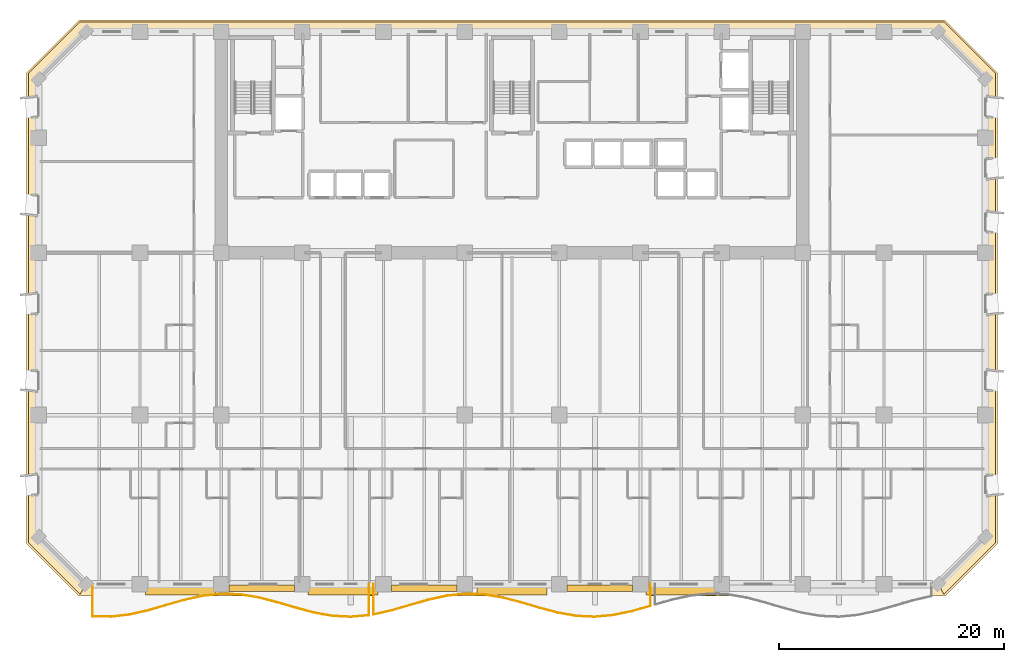
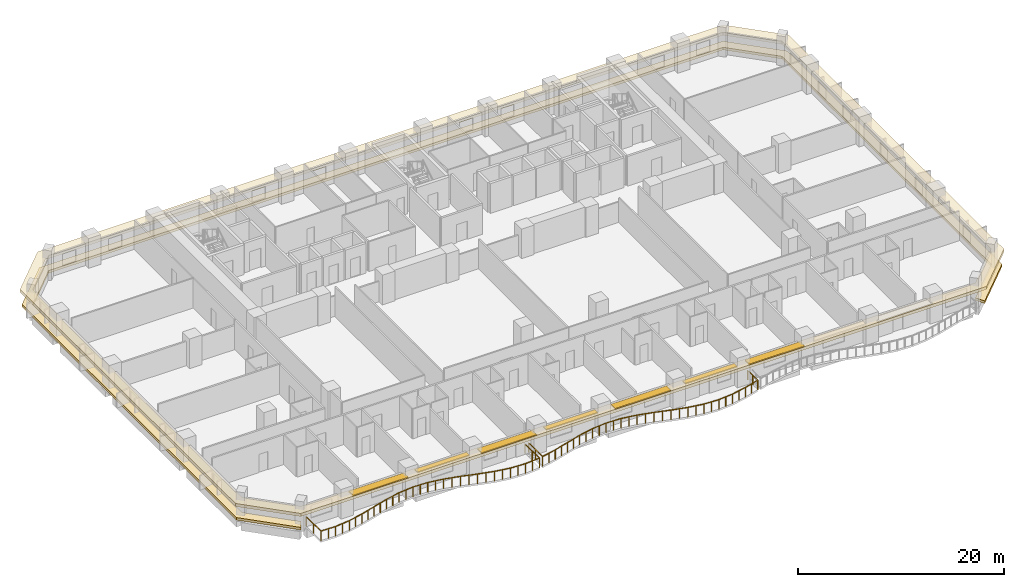
# One storey, part 12 of 15: 7 shading devices, 2 coverings, 2 railings.
"""IFC4 building model written with IfcOpenShell, lengths in metres."""

from ifc_helpers import new_model, si_unit, direction, frame, origin, origin_2d, place, context, subcontext, project, spatial, polyline, rectangle, outline, extrude, material, layer, layer_set, type_object, element, save


model = new_model("IFC4")

# Units and contexts
model_context = context("Model", 3, precision=1e-05, world=origin(), true_north=direction((0.0, 1.0)))
body_context = subcontext(model_context, "Body", "Model", "MODEL_VIEW")
ifc_project = project(units=[si_unit("LENGTHUNIT", "METRE"), si_unit("AREAUNIT", "SQUARE_METRE"), si_unit("VOLUMEUNIT", "CUBIC_METRE"), si_unit("PLANEANGLEUNIT", "RADIAN"), si_unit("MASSUNIT", "GRAM", prefix="KILO")], contexts=[model_context])

# Site, building, storey
site_placement = place(None, origin())
site = spatial("IfcSite", under=ifc_project, at=site_placement, CompositionType="ELEMENT")
building_placement = place(site_placement, origin())
building = spatial("IfcBuilding", under=site, at=building_placement, Name="Kaelvorn Grand Hotel", CompositionType="ELEMENT")
storey_placement = place(building_placement, frame((0.0, 0.0, 42.64990234375)))
storey = spatial("IfcBuildingStorey", under=building, at=storey_placement, Name="L08", CompositionType="ELEMENT", Elevation=42.64990234375)

# Coverings
ifc_material_1 = material(Name="Precast concrete C45/55", Category="concrete")
ifc_layer_1 = layer(ifc_material_1, 0.260009765625)
ifc_layer_set_1 = layer_set([ifc_layer_1], Name="Precast concrete C45/55")
covering_type_1 = type_object("IfcCoveringType", Name="COV-BAND-STREAMLINE-HEAD", PredefinedType="CLADDING", material=ifc_layer_set_1)
covering_1_placement = place(storey_placement, frame((0.0, 0.0, 2.18017578125)))
element("IfcCovering", 1, at=covering_1_placement, inside=storey, type_object=covering_type_1, Name="L08 Streamline Moderne Wraparound Horizontal Eyebrow Band", PredefinedType="CLADDING", context=body_context, shape_type="SweptSolid", body=[
    extrude(outline(polyline([(3.590087890625, -1.050048828125), (80.409912109375, -1.050048828125), (85.050048828125, 3.590087890625), (85.050048828125, 45.409912109375), (80.409912109375, 50.050048828125), (3.590087890625, 50.050048828125), (-1.050048828125, 45.409912109375), (-1.050048828125, 3.590087890625), (3.590087890625, -1.050048828125)]), holes=[polyline([(4.219970703125, 0.030029296875), (79.780029296875, 0.030029296875), (83.969970703125, 4.219970703125), (83.969970703125, 44.780029296875), (79.780029296875, 48.969970703125), (4.219970703125, 48.969970703125), (0.030029296875, 44.780029296875), (0.030029296875, 4.219970703125), (4.219970703125, 0.030029296875)])]), origin(), (0.0, 0.0, 1.0), 0.35986328125),
])
ifc_layer_2 = layer(ifc_material_1, 0.219970703125)
ifc_layer_set_2 = layer_set([ifc_layer_2], Name="Precast concrete C45/55")
covering_type_2 = type_object("IfcCoveringType", Name="COV-BAND-STREAMLINE-SILL", PredefinedType="CLADDING", material=ifc_layer_set_2)
covering_2_placement = place(storey_placement, frame((0.0, 0.0, 0.4501953125)))
element("IfcCovering", 2, at=covering_2_placement, inside=storey, type_object=covering_type_2, Name="L08 Streamline Moderne Wraparound Horizontal Sill Spandrel Band", PredefinedType="CLADDING", context=body_context, shape_type="SweptSolid", body=[
    extrude(outline(polyline([(80.3154296875, -0.8798828125), (84.8798828125, 3.6845703125), (84.8798828125, 45.3154296875), (80.3154296875, 49.8798828125), (3.6845703125, 49.8798828125), (-0.8798828125, 45.3154296875), (-0.8798828125, 3.6845703125), (3.6845703125, -0.8798828125), (4.217529296875, 0.030029296875), (0.030029296875, 4.217529296875), (0.030029296875, 44.782470703125), (4.217529296875, 48.969970703125), (79.782470703125, 48.969970703125), (83.969970703125, 44.782470703125), (83.969970703125, 4.217529296875), (79.782470703125, 0.030029296875), (80.3154296875, -0.8798828125)])), origin(), (0.0, 0.0, 1.0), 0.2998046875),
])

# Railings
ifc_material_2 = material(Name="Stainless Steel", Category="steel")
railing_type = type_object("IfcRailingType", Name="RL-BALC-1150", PredefinedType="BALUSTRADE", material=ifc_material_2)
railing_1_placement = place(storey_placement, frame((4.800048828125, 0.0, 0.0)))
element("IfcRailing", 3, at=railing_1_placement, inside=storey, type_object=railing_type, Name="L08 Scalloped Wave Balcony Balustrade GR1-1", PredefinedType="BALUSTRADE", context=body_context, shape_type="SweptSolid", body=[
    extrude(rectangle(XDim=0.048095703125, YDim=0.048095703125, at=origin_2d()), frame((0.0, 0.0, 1.1259765625), z_axis=(0.0, -1.0, 0.0), x_axis=(1.0, 0.0, 0.0)), (0.0, 0.0, 1.0), 2.849853515625),
    extrude(rectangle(XDim=0.048095703125, YDim=0.048095703125, at=origin_2d()), frame((0.0, -2.849853515625, 1.1259765625), z_axis=(0.999746055688, -0.022534953636, 0.0), x_axis=(0.022534953636, 0.999746055688, 0.0)), (0.0, 0.0, 1.0), 1.635986328125),
    extrude(rectangle(XDim=0.048095703125, YDim=0.048095703125, at=origin_2d()), frame((1.635498046875, -2.88671875, 1.1259765625), z_axis=(0.993458851833, 0.114190672624, 0.0), x_axis=(-0.114190672624, 0.993458851833, 0.0)), (0.0, 0.0, 1.0), 1.646240234375),
    extrude(rectangle(XDim=0.048095703125, YDim=0.048095703125, at=origin_2d()), frame((3.27099609375, -2.69873046875, 1.1259765625), z_axis=(0.975249967804, 0.221105179268, 0.0), x_axis=(-0.221105179268, 0.975249967804, 0.0)), (0.0, 0.0, 1.0), 1.67724609375),
    extrude(rectangle(XDim=0.048095703125, YDim=0.048095703125, at=origin_2d()), frame((4.90673828125, -2.327880859375, 1.1259765625), z_axis=(0.960877196389, 0.276974752385, 0.0), x_axis=(-0.276974752385, 0.960877196389, 0.0)), (0.0, 0.0, 1.0), 1.7021484375),
    extrude(rectangle(XDim=0.048095703125, YDim=0.048095703125, at=origin_2d()), frame((6.542236328125, -1.8564453125, 1.1259765625), z_axis=(0.961523947641, 0.274721127897, 0.0), x_axis=(-0.274721127897, 0.961523947641, 0.0)), (0.0, 0.0, 1.0), 1.700927734375),
    extrude(rectangle(XDim=0.048095703125, YDim=0.048095703125, at=origin_2d()), frame((8.177734375, -1.38916015625, 1.1259765625), z_axis=(0.976698893924, 0.21461423673, 0.0), x_axis=(-0.21461423673, 0.976698893924, 0.0)), (0.0, 0.0, 1.0), 1.674560546875),
    extrude(rectangle(XDim=0.048095703125, YDim=0.048095703125, at=origin_2d()), frame((9.813232421875, -1.02978515625, 1.1259765625), z_axis=(0.994538755279, 0.104367927297, 0.0), x_axis=(-0.104367927297, 0.994538755279, 0.0)), (0.0, 0.0, 1.0), 1.64453125),
    extrude(rectangle(XDim=0.048095703125, YDim=0.048095703125, at=origin_2d()), frame((11.44873046875, -0.858154296875, 1.1259765625), z_axis=(0.999451509735, -0.033116154502, 0.0), x_axis=(0.033116154502, 0.999451509735, 0.0)), (0.0, 0.0, 1.0), 1.63671875),
    extrude(rectangle(XDim=0.048095703125, YDim=0.048095703125, at=origin_2d()), frame((13.08447265625, -0.912353515625, 1.1259765625), z_axis=(0.986832291042, -0.161746806324, 0.0), x_axis=(0.161746806324, 0.986832291042, 0.0)), (0.0, 0.0, 1.0), 1.6572265625),
    extrude(rectangle(XDim=0.048095703125, YDim=0.048095703125, at=origin_2d()), frame((14.719970703125, -1.180419921875, 1.1259765625), z_axis=(0.96823444274, -0.25004412389, 0.0), x_axis=(0.25004412389, 0.96823444274, 0.0)), (0.0, 0.0, 1.0), 1.689208984375),
    extrude(rectangle(XDim=0.048095703125, YDim=0.048095703125, at=origin_2d()), frame((16.35546875, -1.602783203125, 1.1259765625), z_axis=(0.959105197492, -0.283049854522, 0.0), x_axis=(0.283049854522, 0.959105197492, 0.0)), (0.0, 0.0, 1.0), 1.705322265625),
    extrude(rectangle(XDim=0.048095703125, YDim=0.048095703125, at=origin_2d()), frame((17.990966796875, -2.08544921875, 1.1259765625), z_axis=(0.966258871987, -0.257572887368, 0.0), x_axis=(0.257572887368, 0.966258871987, 0.0)), (0.0, 0.0, 1.0), 1.69287109375),
    extrude(rectangle(XDim=0.048095703125, YDim=0.048095703125, at=origin_2d()), frame((19.626708984375, -2.521484375, 1.1259765625), z_axis=(0.984383042767, -0.176039839563, 0.0), x_axis=(0.176039839563, 0.984383042767, 0.0)), (0.0, 0.0, 1.0), 1.661376953125),
    extrude(rectangle(XDim=0.048095703125, YDim=0.048095703125, at=origin_2d()), frame((21.26220703125, -2.81396484375, 1.1259765625), z_axis=(0.998684141863, -0.05128337734, 0.0), x_axis=(0.05128337734, 0.998684141863, 0.0)), (0.0, 0.0, 1.0), 1.6376953125),
    extrude(rectangle(XDim=0.048095703125, YDim=0.048095703125, at=origin_2d()), frame((22.897705078125, -2.89794921875, 1.1259765625), z_axis=(0.996182895251, 0.087290544785, 0.0), x_axis=(-0.087290544785, 0.996182895251, 0.0)), (0.0, 0.0, 1.0), 1.641845703125),
    extrude(rectangle(XDim=0.048095703125, YDim=0.048095703125, at=origin_2d()), frame((24.533203125, -2.754638671875, 1.1259765625), z_axis=(0.0, 1.0, 0.0), x_axis=(-1.0, 0.0, 0.0)), (0.0, 0.0, 1.0), 2.754638671875),
    extrude(rectangle(XDim=0.0419921875, YDim=0.0419921875, at=origin_2d()), origin(), (0.0, 0.0, 1.0), 1.101806640625),
    extrude(rectangle(XDim=0.0419921875, YDim=0.0419921875, at=origin_2d()), frame((0.0, -1.4248046875, 0.0)), (0.0, 0.0, 1.0), 1.101806640625),
    extrude(rectangle(XDim=0.0419921875, YDim=0.0419921875, at=origin_2d()), frame((0.0, -2.849853515625, 0.0)), (0.0, 0.0, 1.0), 1.101806640625),
    extrude(rectangle(XDim=0.0419921875, YDim=0.0419921875, at=origin_2d()), frame((0.81787109375, -2.8681640625, 0.0)), (0.0, 0.0, 1.0), 1.101806640625),
    extrude(rectangle(XDim=0.0419921875, YDim=0.0419921875, at=origin_2d()), frame((1.635498046875, -2.88671875, 0.0)), (0.0, 0.0, 1.0), 1.101806640625),
    extrude(rectangle(XDim=0.0419921875, YDim=0.0419921875, at=origin_2d()), frame((2.453125, -2.792724609375, 0.0)), (0.0, 0.0, 1.0), 1.101806640625),
    extrude(rectangle(XDim=0.0419921875, YDim=0.0419921875, at=origin_2d()), frame((3.27099609375, -2.69873046875, 0.0)), (0.0, 0.0, 1.0), 1.101806640625),
    extrude(rectangle(XDim=0.0419921875, YDim=0.0419921875, at=origin_2d()), frame((4.0888671875, -2.51318359375, 0.0)), (0.0, 0.0, 1.0), 1.101806640625),
    extrude(rectangle(XDim=0.0419921875, YDim=0.0419921875, at=origin_2d()), frame((4.90673828125, -2.327880859375, 0.0)), (0.0, 0.0, 1.0), 1.101806640625),
    extrude(rectangle(XDim=0.0419921875, YDim=0.0419921875, at=origin_2d()), frame((5.724609375, -2.09228515625, 0.0)), (0.0, 0.0, 1.0), 1.101806640625),
    extrude(rectangle(XDim=0.0419921875, YDim=0.0419921875, at=origin_2d()), frame((6.542236328125, -1.8564453125, 0.0)), (0.0, 0.0, 1.0), 1.101806640625),
    extrude(rectangle(XDim=0.0419921875, YDim=0.0419921875, at=origin_2d()), frame((7.35986328125, -1.622802734375, 0.0)), (0.0, 0.0, 1.0), 1.101806640625),
    extrude(rectangle(XDim=0.0419921875, YDim=0.0419921875, at=origin_2d()), frame((8.177734375, -1.38916015625, 0.0)), (0.0, 0.0, 1.0), 1.101806640625),
    extrude(rectangle(XDim=0.0419921875, YDim=0.0419921875, at=origin_2d()), frame((8.99560546875, -1.20947265625, 0.0)), (0.0, 0.0, 1.0), 1.101806640625),
    extrude(rectangle(XDim=0.0419921875, YDim=0.0419921875, at=origin_2d()), frame((9.813232421875, -1.02978515625, 0.0)), (0.0, 0.0, 1.0), 1.101806640625),
    extrude(rectangle(XDim=0.0419921875, YDim=0.0419921875, at=origin_2d()), frame((10.630859375, -0.94384765625, 0.0)), (0.0, 0.0, 1.0), 1.101806640625),
    extrude(rectangle(XDim=0.0419921875, YDim=0.0419921875, at=origin_2d()), frame((11.44873046875, -0.858154296875, 0.0)), (0.0, 0.0, 1.0), 1.101806640625),
    extrude(rectangle(XDim=0.0419921875, YDim=0.0419921875, at=origin_2d()), frame((12.2666015625, -0.88525390625, 0.0)), (0.0, 0.0, 1.0), 1.101806640625),
    extrude(rectangle(XDim=0.0419921875, YDim=0.0419921875, at=origin_2d()), frame((13.08447265625, -0.912353515625, 0.0)), (0.0, 0.0, 1.0), 1.101806640625),
    extrude(rectangle(XDim=0.0419921875, YDim=0.0419921875, at=origin_2d()), frame((13.90234375, -1.04638671875, 0.0)), (0.0, 0.0, 1.0), 1.101806640625),
    extrude(rectangle(XDim=0.0419921875, YDim=0.0419921875, at=origin_2d()), frame((14.719970703125, -1.180419921875, 0.0)), (0.0, 0.0, 1.0), 1.101806640625),
    extrude(rectangle(XDim=0.0419921875, YDim=0.0419921875, at=origin_2d()), frame((15.53759765625, -1.3916015625, 0.0)), (0.0, 0.0, 1.0), 1.101806640625),
    extrude(rectangle(XDim=0.0419921875, YDim=0.0419921875, at=origin_2d()), frame((16.35546875, -1.602783203125, 0.0)), (0.0, 0.0, 1.0), 1.101806640625),
    extrude(rectangle(XDim=0.0419921875, YDim=0.0419921875, at=origin_2d()), frame((17.17333984375, -1.84423828125, 0.0)), (0.0, 0.0, 1.0), 1.101806640625),
    extrude(rectangle(XDim=0.0419921875, YDim=0.0419921875, at=origin_2d()), frame((17.990966796875, -2.08544921875, 0.0)), (0.0, 0.0, 1.0), 1.101806640625),
    extrude(rectangle(XDim=0.0419921875, YDim=0.0419921875, at=origin_2d()), frame((18.808837890625, -2.303466796875, 0.0)), (0.0, 0.0, 1.0), 1.101806640625),
    extrude(rectangle(XDim=0.0419921875, YDim=0.0419921875, at=origin_2d()), frame((19.626708984375, -2.521484375, 0.0)), (0.0, 0.0, 1.0), 1.101806640625),
    extrude(rectangle(XDim=0.0419921875, YDim=0.0419921875, at=origin_2d()), frame((20.4443359375, -2.667724609375, 0.0)), (0.0, 0.0, 1.0), 1.101806640625),
    extrude(rectangle(XDim=0.0419921875, YDim=0.0419921875, at=origin_2d()), frame((21.26220703125, -2.81396484375, 0.0)), (0.0, 0.0, 1.0), 1.101806640625),
    extrude(rectangle(XDim=0.0419921875, YDim=0.0419921875, at=origin_2d()), frame((22.080078125, -2.85595703125, 0.0)), (0.0, 0.0, 1.0), 1.101806640625),
    extrude(rectangle(XDim=0.0419921875, YDim=0.0419921875, at=origin_2d()), frame((22.897705078125, -2.89794921875, 0.0)), (0.0, 0.0, 1.0), 1.101806640625),
    extrude(rectangle(XDim=0.0419921875, YDim=0.0419921875, at=origin_2d()), frame((23.71533203125, -2.826171875, 0.0)), (0.0, 0.0, 1.0), 1.101806640625),
    extrude(rectangle(XDim=0.0419921875, YDim=0.0419921875, at=origin_2d()), frame((24.533203125, -2.754638671875, 0.0)), (0.0, 0.0, 1.0), 1.101806640625),
    extrude(rectangle(XDim=0.0419921875, YDim=0.0419921875, at=origin_2d()), frame((24.533203125, -1.37744140625, 0.0)), (0.0, 0.0, 1.0), 1.101806640625),
    extrude(rectangle(XDim=0.0419921875, YDim=0.0419921875, at=origin_2d()), frame((24.533203125, 0.0, 0.0)), (0.0, 0.0, 1.0), 1.101806640625),
])
railing_2_placement = place(storey_placement, frame((29.7333984375, 0.0, 0.0)))
element("IfcRailing", 4, at=railing_2_placement, inside=storey, type_object=railing_type, Name="L08 Scalloped Wave Balcony Balustrade GR1-2", PredefinedType="BALUSTRADE", context=body_context, shape_type="SweptSolid", body=[
    extrude(rectangle(XDim=0.048095703125, YDim=0.048095703125, at=origin_2d()), frame((0.0, 0.0, 1.1259765625), z_axis=(0.0, -1.0, 0.0), x_axis=(1.0, 0.0, 0.0)), (0.0, 0.0, 1.0), 2.6875),
    extrude(rectangle(XDim=0.048095703125, YDim=0.048095703125, at=origin_2d()), frame((0.0, -2.6875, 1.1259765625), z_axis=(0.974547877033, 0.22417947134, 0.0), x_axis=(-0.22417947134, 0.974547877033, 0.0)), (0.0, 0.0, 1.0), 1.67822265625),
    extrude(rectangle(XDim=0.048095703125, YDim=0.048095703125, at=origin_2d()), frame((1.635498046875, -2.311279296875, 1.1259765625), z_axis=(0.960571319089, 0.278033704689, 0.0), x_axis=(-0.278033704689, 0.960571319089, 0.0)), (0.0, 0.0, 1.0), 1.70263671875),
    extrude(rectangle(XDim=0.048095703125, YDim=0.048095703125, at=origin_2d()), frame((3.27099609375, -1.837890625, 1.1259765625), z_axis=(0.96186455439, 0.273526194374, 0.0), x_axis=(-0.273526194374, 0.96186455439, 0.0)), (0.0, 0.0, 1.0), 1.700439453125),
    extrude(rectangle(XDim=0.048095703125, YDim=0.048095703125, at=origin_2d()), frame((4.906494140625, -1.372802734375, 1.1259765625), z_axis=(0.977433707694, 0.211242389364, 0.0), x_axis=(-0.211242389364, 0.977433707694, 0.0)), (0.0, 0.0, 1.0), 1.673583984375),
    extrude(rectangle(XDim=0.048095703125, YDim=0.048095703125, at=origin_2d()), frame((6.542236328125, -1.019287109375, 1.1259765625), z_axis=(0.995050417391, 0.099371358297, 0.0), x_axis=(-0.099371358297, 0.995050417391, 0.0)), (0.0, 0.0, 1.0), 1.6435546875),
    extrude(rectangle(XDim=0.048095703125, YDim=0.048095703125, at=origin_2d()), frame((8.177734375, -0.85595703125, 1.1259765625), z_axis=(0.999264915568, -0.038335734184, 0.0), x_axis=(0.038335734184, 0.999264915568, 0.0)), (0.0, 0.0, 1.0), 1.63671875),
    extrude(rectangle(XDim=0.048095703125, YDim=0.048095703125, at=origin_2d()), frame((9.813232421875, -0.918701171875, 1.1259765625), z_axis=(0.986118033534, -0.166045848907, 0.0), x_axis=(0.166045848907, 0.986118033534, 0.0)), (0.0, 0.0, 1.0), 1.658447265625),
    extrude(rectangle(XDim=0.048095703125, YDim=0.048095703125, at=origin_2d()), frame((11.44873046875, -1.194091796875, 1.1259765625), z_axis=(0.967646406536, -0.252310189883, 0.0), x_axis=(0.252310189883, 0.967646406536, 0.0)), (0.0, 0.0, 1.0), 1.6904296875),
    extrude(rectangle(XDim=0.048095703125, YDim=0.048095703125, at=origin_2d()), frame((13.08447265625, -1.62060546875, 1.1259765625), z_axis=(0.959027432838, -0.2833132243, 0.0), x_axis=(0.2833132243, 0.959027432838, 0.0)), (0.0, 0.0, 1.0), 1.705322265625),
    extrude(rectangle(XDim=0.048095703125, YDim=0.048095703125, at=origin_2d()), frame((14.719970703125, -2.103759765625, 1.1259765625), z_axis=(0.966821682926, -0.255452213581, 0.0), x_axis=(0.255452213581, 0.966821682926, 0.0)), (0.0, 0.0, 1.0), 1.691650390625),
    extrude(rectangle(XDim=0.048095703125, YDim=0.048095703125, at=origin_2d()), frame((16.35546875, -2.535888671875, 1.1259765625), z_axis=(0.985113377214, -0.171905887142, 0.0), x_axis=(0.171905887142, 0.985113377214, 0.0)), (0.0, 0.0, 1.0), 1.66015625),
    extrude(rectangle(XDim=0.048095703125, YDim=0.048095703125, at=origin_2d()), frame((17.990966796875, -2.8212890625, 1.1259765625), z_axis=(0.998945044437, -0.045921652789, 0.0), x_axis=(0.045921652789, 0.998945044437, 0.0)), (0.0, 0.0, 1.0), 1.637451171875),
    extrude(rectangle(XDim=0.048095703125, YDim=0.048095703125, at=origin_2d()), frame((19.626708984375, -2.896484375, 1.1259765625), z_axis=(0.995730813029, 0.092304647692, 0.0), x_axis=(-0.092304647692, 0.995730813029, 0.0)), (0.0, 0.0, 1.0), 1.642578125),
    extrude(rectangle(XDim=0.048095703125, YDim=0.048095703125, at=origin_2d()), frame((21.26220703125, -2.744873046875, 1.1259765625), z_axis=(0.978500163728, 0.206246041377, 0.0), x_axis=(-0.206246041377, 0.978500163728, 0.0)), (0.0, 0.0, 1.0), 1.67138671875),
    extrude(rectangle(XDim=0.048095703125, YDim=0.048095703125, at=origin_2d()), frame((22.897705078125, -2.400146484375, 1.1259765625), z_axis=(0.962391909426, 0.27166489039, 0.0), x_axis=(-0.27166489039, 0.962391909426, 0.0)), (0.0, 0.0, 1.0), 1.699462890625),
    extrude(rectangle(XDim=0.048095703125, YDim=0.048095703125, at=origin_2d()), frame((24.533203125, -1.9384765625, 1.1259765625), z_axis=(0.0, 1.0, 0.0), x_axis=(-1.0, 0.0, 0.0)), (0.0, 0.0, 1.0), 1.9384765625),
    extrude(rectangle(XDim=0.0419921875, YDim=0.0419921875, at=origin_2d()), origin(), (0.0, 0.0, 1.0), 1.101806640625),
    extrude(rectangle(XDim=0.0419921875, YDim=0.0419921875, at=origin_2d()), frame((0.0, -1.34375, 0.0)), (0.0, 0.0, 1.0), 1.101806640625),
    extrude(rectangle(XDim=0.0419921875, YDim=0.0419921875, at=origin_2d()), frame((0.0, -2.6875, 0.0)), (0.0, 0.0, 1.0), 1.101806640625),
    extrude(rectangle(XDim=0.0419921875, YDim=0.0419921875, at=origin_2d()), frame((0.81787109375, -2.49951171875, 0.0)), (0.0, 0.0, 1.0), 1.101806640625),
    extrude(rectangle(XDim=0.0419921875, YDim=0.0419921875, at=origin_2d()), frame((1.635498046875, -2.311279296875, 0.0)), (0.0, 0.0, 1.0), 1.101806640625),
    extrude(rectangle(XDim=0.0419921875, YDim=0.0419921875, at=origin_2d()), frame((2.453125, -2.07470703125, 0.0)), (0.0, 0.0, 1.0), 1.101806640625),
    extrude(rectangle(XDim=0.0419921875, YDim=0.0419921875, at=origin_2d()), frame((3.27099609375, -1.837890625, 0.0)), (0.0, 0.0, 1.0), 1.101806640625),
    extrude(rectangle(XDim=0.0419921875, YDim=0.0419921875, at=origin_2d()), frame((4.0888671875, -1.60546875, 0.0)), (0.0, 0.0, 1.0), 1.101806640625),
    extrude(rectangle(XDim=0.0419921875, YDim=0.0419921875, at=origin_2d()), frame((4.906494140625, -1.372802734375, 0.0)), (0.0, 0.0, 1.0), 1.101806640625),
    extrude(rectangle(XDim=0.0419921875, YDim=0.0419921875, at=origin_2d()), frame((5.724365234375, -1.196044921875, 0.0)), (0.0, 0.0, 1.0), 1.101806640625),
    extrude(rectangle(XDim=0.0419921875, YDim=0.0419921875, at=origin_2d()), frame((6.542236328125, -1.019287109375, 0.0)), (0.0, 0.0, 1.0), 1.101806640625),
    extrude(rectangle(XDim=0.0419921875, YDim=0.0419921875, at=origin_2d()), frame((7.35986328125, -0.9375, 0.0)), (0.0, 0.0, 1.0), 1.101806640625),
    extrude(rectangle(XDim=0.0419921875, YDim=0.0419921875, at=origin_2d()), frame((8.177734375, -0.85595703125, 0.0)), (0.0, 0.0, 1.0), 1.101806640625),
    extrude(rectangle(XDim=0.0419921875, YDim=0.0419921875, at=origin_2d()), frame((8.99560546875, -0.88720703125, 0.0)), (0.0, 0.0, 1.0), 1.101806640625),
    extrude(rectangle(XDim=0.0419921875, YDim=0.0419921875, at=origin_2d()), frame((9.813232421875, -0.918701171875, 0.0)), (0.0, 0.0, 1.0), 1.101806640625),
    extrude(rectangle(XDim=0.0419921875, YDim=0.0419921875, at=origin_2d()), frame((10.630859375, -1.056396484375, 0.0)), (0.0, 0.0, 1.0), 1.101806640625),
    extrude(rectangle(XDim=0.0419921875, YDim=0.0419921875, at=origin_2d()), frame((11.44873046875, -1.194091796875, 0.0)), (0.0, 0.0, 1.0), 1.101806640625),
    extrude(rectangle(XDim=0.0419921875, YDim=0.0419921875, at=origin_2d()), frame((12.2666015625, -1.4072265625, 0.0)), (0.0, 0.0, 1.0), 1.101806640625),
    extrude(rectangle(XDim=0.0419921875, YDim=0.0419921875, at=origin_2d()), frame((13.08447265625, -1.62060546875, 0.0)), (0.0, 0.0, 1.0), 1.101806640625),
    extrude(rectangle(XDim=0.0419921875, YDim=0.0419921875, at=origin_2d()), frame((13.90234375, -1.8623046875, 0.0)), (0.0, 0.0, 1.0), 1.101806640625),
    extrude(rectangle(XDim=0.0419921875, YDim=0.0419921875, at=origin_2d()), frame((14.719970703125, -2.103759765625, 0.0)), (0.0, 0.0, 1.0), 1.101806640625),
    extrude(rectangle(XDim=0.0419921875, YDim=0.0419921875, at=origin_2d()), frame((15.53759765625, -2.31982421875, 0.0)), (0.0, 0.0, 1.0), 1.101806640625),
    extrude(rectangle(XDim=0.0419921875, YDim=0.0419921875, at=origin_2d()), frame((16.35546875, -2.535888671875, 0.0)), (0.0, 0.0, 1.0), 1.101806640625),
    extrude(rectangle(XDim=0.0419921875, YDim=0.0419921875, at=origin_2d()), frame((17.17333984375, -2.6787109375, 0.0)), (0.0, 0.0, 1.0), 1.101806640625),
    extrude(rectangle(XDim=0.0419921875, YDim=0.0419921875, at=origin_2d()), frame((17.990966796875, -2.8212890625, 0.0)), (0.0, 0.0, 1.0), 1.101806640625),
    extrude(rectangle(XDim=0.0419921875, YDim=0.0419921875, at=origin_2d()), frame((18.808837890625, -2.85888671875, 0.0)), (0.0, 0.0, 1.0), 1.101806640625),
    extrude(rectangle(XDim=0.0419921875, YDim=0.0419921875, at=origin_2d()), frame((19.626708984375, -2.896484375, 0.0)), (0.0, 0.0, 1.0), 1.101806640625),
    extrude(rectangle(XDim=0.0419921875, YDim=0.0419921875, at=origin_2d()), frame((20.4443359375, -2.82080078125, 0.0)), (0.0, 0.0, 1.0), 1.101806640625),
    extrude(rectangle(XDim=0.0419921875, YDim=0.0419921875, at=origin_2d()), frame((21.26220703125, -2.744873046875, 0.0)), (0.0, 0.0, 1.0), 1.101806640625),
    extrude(rectangle(XDim=0.0419921875, YDim=0.0419921875, at=origin_2d()), frame((22.080078125, -2.572509765625, 0.0)), (0.0, 0.0, 1.0), 1.101806640625),
    extrude(rectangle(XDim=0.0419921875, YDim=0.0419921875, at=origin_2d()), frame((22.897705078125, -2.400146484375, 0.0)), (0.0, 0.0, 1.0), 1.101806640625),
    extrude(rectangle(XDim=0.0419921875, YDim=0.0419921875, at=origin_2d()), frame((23.71533203125, -2.16943359375, 0.0)), (0.0, 0.0, 1.0), 1.101806640625),
    extrude(rectangle(XDim=0.0419921875, YDim=0.0419921875, at=origin_2d()), frame((24.533203125, -1.9384765625, 0.0)), (0.0, 0.0, 1.0), 1.101806640625),
    extrude(rectangle(XDim=0.0419921875, YDim=0.0419921875, at=origin_2d()), frame((24.533203125, -0.96923828125, 0.0)), (0.0, 0.0, 1.0), 1.101806640625),
    extrude(rectangle(XDim=0.0419921875, YDim=0.0419921875, at=origin_2d()), frame((24.533203125, 0.0, 0.0)), (0.0, 0.0, 1.0), 1.101806640625),
])

# Shading devices
ifc_layer_3 = layer(ifc_material_1, 0.1201171875)
ifc_layer_set_3 = layer_set([ifc_layer_3], Name="Precast concrete C45/55")
shading_device_type_1 = type_object("IfcShadingDeviceType", Name="SHD-SUNSHADE-550", PredefinedType="USERDEFINED", material=ifc_layer_set_3)
for number, where, z_axis, x_axis, name in (
    (5, (19.800048828125, -0.364990234375, 2.419921875), (0.0, 0.0, 1.0), (1.0, 0.0, 0.0), "L08 Horizontal Concrete Sunshade Band SS-03"),
    (6, (34.199951171875, -0.364990234375, 2.419921875), (0.0, 0.0, 1.0), (1.0, 0.0, 0.0), "L08 Horizontal Concrete Sunshade Band SS-05"),
    (7, (49.800048828125, -0.364990234375, 2.419921875), (0.0, 0.0, 1.0), (1.0, 0.0, 0.0), "L08 Horizontal Concrete Sunshade Band SS-07"),
):
    element("IfcShadingDevice", number, at=place(storey_placement, frame(where, z_axis=z_axis, x_axis=x_axis)), inside=storey, type_object=shading_device_type_1, Name=name, ObjectType="SUNSHADE", PredefinedType="USERDEFINED", context=body_context, shape_type="SweptSolid", body=[
        extrude(rectangle(XDim=5.800048828125, YDim=0.550048828125, at=origin_2d()), origin(), (0.0, 0.0, 1.0), 0.1201171875),
    ])
ifc_layer_4 = layer(ifc_material_1, 0.139892578125)
ifc_layer_set_4 = layer_set([ifc_layer_4], Name="Precast concrete C45/55")
shading_device_type_2 = type_object("IfcShadingDeviceType", Name="SHD-SUNSHADE-850", PredefinedType="USERDEFINED", material=ifc_layer_set_4)
for number, where, z_axis, x_axis, name in (
    (8, (12.60009765625, -0.514892578125, 2.41015625), (0.0, 0.0, 1.0), (1.0, 0.0, 0.0), "L08 Horizontal Concrete Sunshade Band SS-02"),
    (9, (27.0, -0.514892578125, 2.41015625), (0.0, 0.0, 1.0), (1.0, 0.0, 0.0), "L08 Horizontal Concrete Sunshade Band SS-04"),
    (10, (42.0, -0.514892578125, 2.41015625), (0.0, 0.0, 1.0), (1.0, 0.0, 0.0), "L08 Horizontal Concrete Sunshade Band SS-06"),
    (11, (57.0, -0.514892578125, 2.41015625), (0.0, 0.0, 1.0), (1.0, 0.0, 0.0), "L08 Horizontal Concrete Sunshade Band SS-08"),
):
    element("IfcShadingDevice", number, at=place(storey_placement, frame(where, z_axis=z_axis, x_axis=x_axis)), inside=storey, type_object=shading_device_type_2, Name=name, ObjectType="SUNSHADE", PredefinedType="USERDEFINED", context=body_context, shape_type="SweptSolid", body=[
        extrude(rectangle(XDim=6.199951171875, YDim=0.85009765625, at=origin_2d()), origin(), (0.0, 0.0, 1.0), 0.139892578125),
    ])

save(model, "model.ifc")
